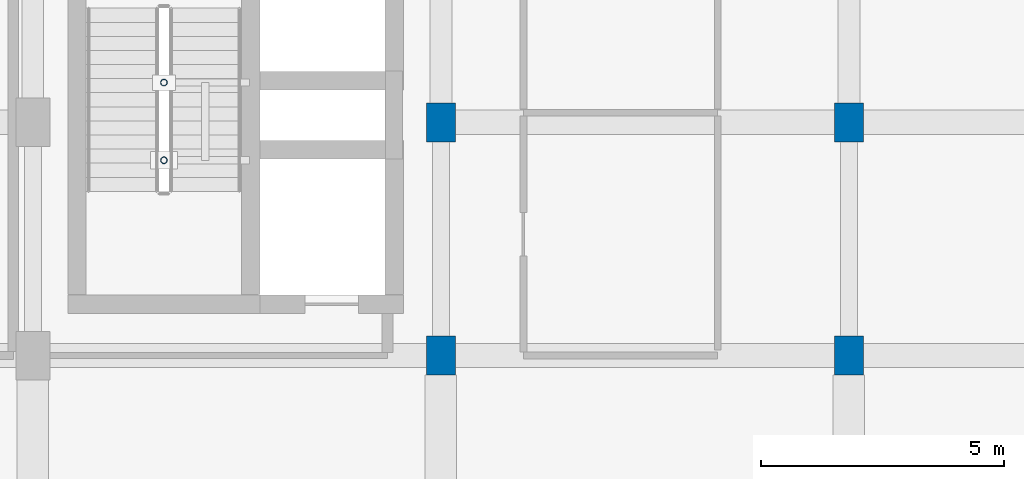
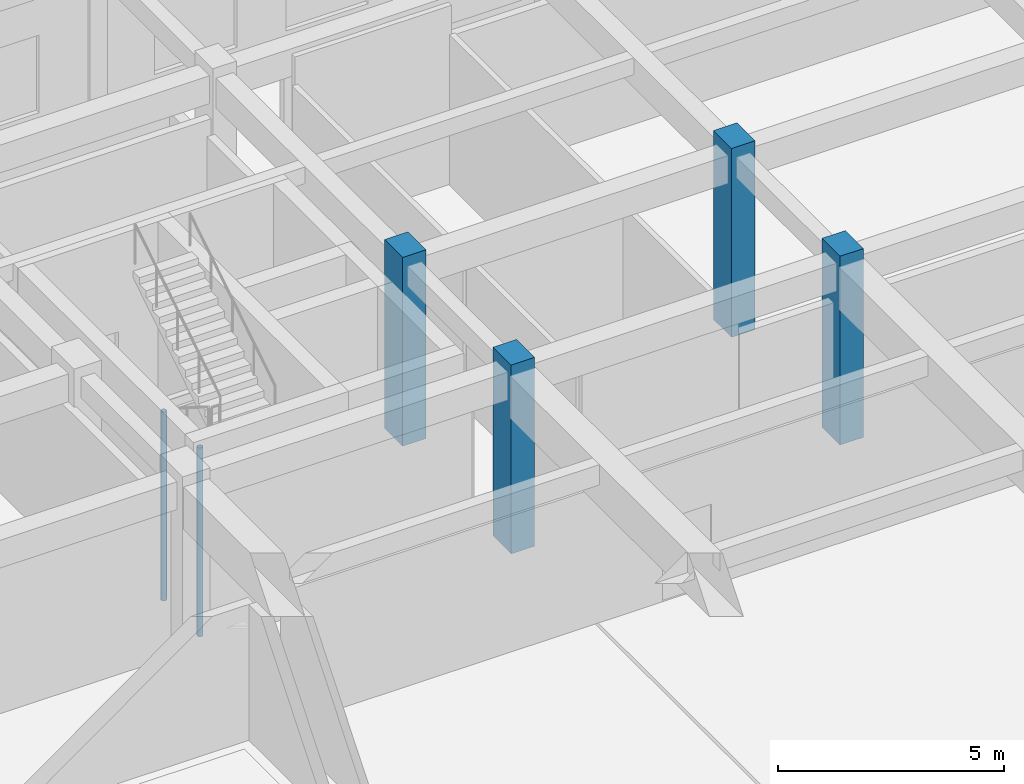
# One storey, part 9 of 106: 6 columns.
"""IFC4 building model written with IfcOpenShell, lengths in metres."""

from ifc_helpers import new_model, si_unit, direction, frame, origin, origin_2d, place, context, subcontext, project, spatial, rectangle, hollow_circle, extrude, material, material_profile, profile_set, type_object, element, save


model = new_model("IFC4")

# Units and contexts
model_context = context("Model", 3, precision=1e-05, world=origin(), true_north=direction((0.0, 1.0)))
body_context = subcontext(model_context, "Body", "Model", "MODEL_VIEW")
ifc_project = project(units=[si_unit("LENGTHUNIT", "METRE"), si_unit("AREAUNIT", "SQUARE_METRE"), si_unit("VOLUMEUNIT", "CUBIC_METRE"), si_unit("PLANEANGLEUNIT", "RADIAN"), si_unit("MASSUNIT", "GRAM", prefix="KILO")], contexts=[model_context])

# Site, building, storey
site_placement = place(None, origin())
site = spatial("IfcSite", under=ifc_project, at=site_placement, CompositionType="ELEMENT")
building_placement = place(site_placement, origin())
building = spatial("IfcBuilding", under=site, at=building_placement, Name="Krzemoval Escarpment Law Courts", CompositionType="ELEMENT")
storey_placement = place(building_placement, frame((0.0, 0.0, 5.10009765625)))
storey = spatial("IfcBuildingStorey", under=building, at=storey_placement, Name="L01", CompositionType="ELEMENT", Elevation=5.10009765625)

# Columns
ifc_material_1 = material(Name="Concrete C40/50", Category="concrete")
ifc_material_profile_1 = material_profile(ifc_material_1, rectangle(XDim=0.60009765625, YDim=0.800048828125, at=origin_2d()), Name="RC 600x800")
ifc_profile_set_1 = profile_set([ifc_material_profile_1], Name="Concrete C40/50")
column_type_1 = type_object("IfcColumnType", Name="COL-RC-600x800", PredefinedType="COLUMN", material=ifc_profile_set_1)
for number, where, z_axis, x_axis, name in (
    (1, (117.60009765625, 22.199951171875, 0.0), (0.0, 0.0, 1.0), (1.0, 0.0, 0.0), "Column FC-L01-0699"),
    (2, (117.60009765625, 27.0, 0.0), (0.0, 0.0, 1.0), (1.0, 0.0, 0.0), "Column FC-L01-0700"),
    (3, (126.0, 22.199951171875, 0.0), (0.0, 0.0, 1.0), (1.0, 0.0, 0.0), "Column FC-L01-0708"),
    (4, (126.0, 27.0, 0.0), (0.0, 0.0, 1.0), (1.0, 0.0, 0.0), "Column FC-L01-0709"),
):
    element("IfcColumn", number, at=place(storey_placement, frame(where, z_axis=z_axis, x_axis=x_axis)), inside=storey, type_object=column_type_1, Name=name, PredefinedType="COLUMN", context=body_context, shape_type="SweptSolid", body=[
        extrude(rectangle(XDim=0.60009765625, YDim=0.800048828125, at=origin_2d()), origin(), (0.0, 0.0, 1.0), 5.099853515625),
    ])
ifc_material_2 = material(Name="Steel S355", Category="steel")
ifc_material_profile_2 = material_profile(ifc_material_2, hollow_circle(Radius=0.06982421875, WallThickness=0.008056640625, at=origin_2d()), Name="CHS 139.7x8")
ifc_profile_set_2 = profile_set([ifc_material_profile_2], Name="Steel S355")
column_type_2 = type_object("IfcColumnType", Name="COL-S355-CHS140", PredefinedType="COLUMN", material=ifc_profile_set_2)
for number, where, z_axis, x_axis, name in (
    (5, (111.89990234375, 26.219970703125, -2.97998046875), (0.0, 0.0, 1.0), (1.0, 0.0, 0.0), "Stair Well Post SCP-C6-L01-1"),
    (6, (111.89990234375, 27.820068359375, -2.97998046875), (0.0, 0.0, 1.0), (1.0, 0.0, 0.0), "Stair Well Post SCP-C6-L01-2"),
):
    element("IfcColumn", number, at=place(storey_placement, frame(where, z_axis=z_axis, x_axis=x_axis)), inside=storey, type_object=column_type_2, Name=name, PredefinedType="COLUMN", context=body_context, shape_type="SweptSolid", body=[
        extrude(hollow_circle(Radius=0.06982421875, WallThickness=0.008056640625, at=origin_2d()), origin(), (0.0, 0.0, 1.0), 5.099853515625),
    ])

save(model, "model.ifc")
